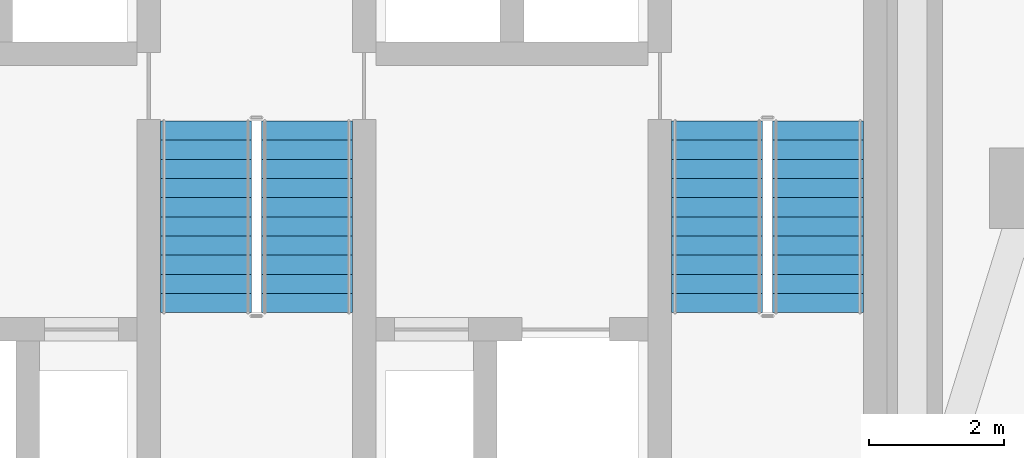
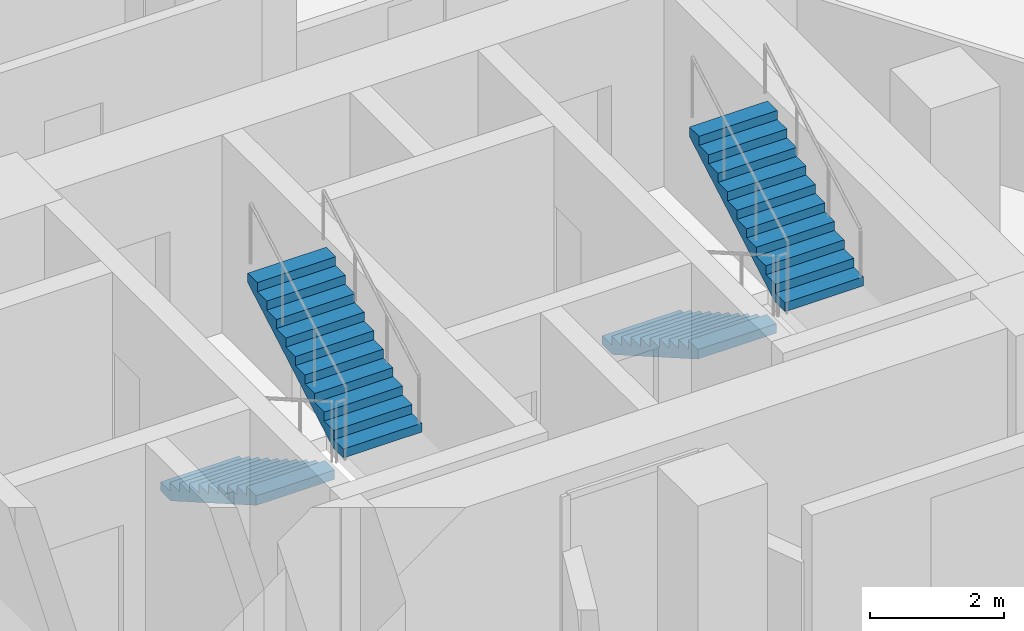
# One storey, part 10 of 13: 4 stair flights, 2 elements without a shape of their own.
"""IFC4 building model written with IfcOpenShell, lengths in metres."""

from ifc_helpers import new_model, si_unit, direction, frame, origin, place, context, subcontext, project, spatial, polyline, outline, extrude, material, type_object, element, aggregate, save


model = new_model("IFC4")

# Units and contexts
model_context = context("Model", 3, precision=1e-05, world=origin(), true_north=direction((0.0, 1.0)))
body_context = subcontext(model_context, "Body", "Model", "MODEL_VIEW")
ifc_project = project(units=[si_unit("LENGTHUNIT", "METRE"), si_unit("AREAUNIT", "SQUARE_METRE"), si_unit("VOLUMEUNIT", "CUBIC_METRE"), si_unit("PLANEANGLEUNIT", "RADIAN"), si_unit("MASSUNIT", "GRAM", prefix="KILO")], contexts=[model_context])

# Site, building, storey
site_placement = place(None, origin())
site = spatial("IfcSite", under=ifc_project, at=site_placement, CompositionType="ELEMENT")
building_placement = place(site_placement, origin())
building = spatial("IfcBuilding", under=site, at=building_placement, Name="Almagre Mirador Tower", CompositionType="ELEMENT")
storey_placement = place(building_placement, frame((0.0, 0.0, 78.60009765625)))
storey = spatial("IfcBuildingStorey", under=building, at=storey_placement, Name="L19", CompositionType="ELEMENT", Elevation=78.60009765625)

# Stair, stair flights
ifc_material_1 = material(Name="Concrete C45/55", Category="concrete")
stair_type = type_object("IfcStairType", Name="STR-DL-3600", PredefinedType="HALF_TURN_STAIR", material=ifc_material_1)
stair_1_placement = place(storey_placement, origin())
stair_1 = element("IfcStair", 1, at=stair_1_placement, inside=storey, type_object=stair_type, Name="L19 Protected exit stair ST-2", PredefinedType="HALF_TURN_STAIR")
ifc_material_2 = material(Name="Concrete C45/55", Category="concrete")
stair_flight_type = type_object("IfcStairFlightType", Name="FLT-DL-3600", PredefinedType="STRAIGHT", material=ifc_material_2)
stair_flight_1_placement = place(storey_placement, frame((36.550048828125, 11.199951171875, 0.0), z_axis=(0.0, 0.0, 1.0), x_axis=(0.0, -1.0, 0.0)))
stair_flight_1 = element("IfcStairFlight", 2, at=stair_flight_1_placement, type_object=stair_flight_type, Name="ST-2 flight 1", NumberOfRisers=11, NumberOfTreads=10, PredefinedType="STRAIGHT", RiserHeight=0.163636364, TreadLength=0.285, context=body_context, shape_type="SweptSolid", body=[
    extrude(outline(polyline([(0.0, 0.0), (0.0, 0.16357421875), (0.284912109375, 0.16357421875), (0.284912109375, 0.327392578125), (0.570068359375, 0.327392578125), (0.570068359375, 0.490966796875), (0.85498046875, 0.490966796875), (0.85498046875, 0.654541015625), (1.139892578125, 0.654541015625), (1.139892578125, 0.818115234375), (1.425048828125, 0.818115234375), (1.425048828125, 0.98193359375), (1.7099609375, 0.98193359375), (1.7099609375, 1.1455078125), (1.9951171875, 1.1455078125), (1.9951171875, 1.30908203125), (2.280029296875, 1.30908203125), (2.280029296875, 1.47265625), (2.56494140625, 1.47265625), (2.56494140625, 1.636474609375), (2.85009765625, 1.636474609375), (2.85009765625, 1.800048828125), (2.85009765625, 1.463623046875), (0.301025390625, 0.0), (0.0, 0.0)])), frame((0.0, 0.675048828125, 0.0), z_axis=(0.0, -1.0, 0.0), x_axis=(1.0, 0.0, 0.0)), (0.0, 0.0, 1.0), 1.35009765625),
])
stair_flight_2_placement = place(storey_placement, frame((38.050048828125, 8.35009765625, 1.7998046875), z_axis=(0.0, 0.0, 1.0), x_axis=(0.0, 1.0, 0.0)))
stair_flight_2 = element("IfcStairFlight", 3, at=stair_flight_2_placement, type_object=stair_flight_type, Name="ST-2 flight 2", NumberOfRisers=11, NumberOfTreads=10, PredefinedType="STRAIGHT", RiserHeight=0.163636364, TreadLength=0.285, context=body_context, shape_type="SweptSolid", body=[
    extrude(outline(polyline([(0.0, 0.0), (0.0, 0.16357421875), (0.284912109375, 0.16357421875), (0.284912109375, 0.327392578125), (0.570068359375, 0.327392578125), (0.570068359375, 0.490966796875), (0.85498046875, 0.490966796875), (0.85498046875, 0.654541015625), (1.139892578125, 0.654541015625), (1.139892578125, 0.818115234375), (1.425048828125, 0.818115234375), (1.425048828125, 0.98193359375), (1.7099609375, 0.98193359375), (1.7099609375, 1.1455078125), (1.9951171875, 1.1455078125), (1.9951171875, 1.30908203125), (2.280029296875, 1.30908203125), (2.280029296875, 1.47265625), (2.56494140625, 1.47265625), (2.56494140625, 1.636474609375), (2.85009765625, 1.636474609375), (2.85009765625, 1.800048828125), (2.85009765625, 1.463623046875), (0.301025390625, 0.0), (0.0, 0.0)])), frame((0.0, 0.675048828125, 0.0), z_axis=(0.0, -1.0, 0.0), x_axis=(1.0, 0.0, 0.0)), (0.0, 0.0, 1.0), 1.35009765625),
])
aggregate(stair_1, [stair_flight_1, stair_flight_2])

stair_2_placement = place(storey_placement, origin())
stair_2 = element("IfcStair", 4, at=stair_2_placement, inside=storey, type_object=stair_type, Name="L19 Protected exit stair ST-3", PredefinedType="HALF_TURN_STAIR")
stair_flight_3_placement = place(storey_placement, frame((44.14990234375, 11.199951171875, 0.0), z_axis=(0.0, 0.0, 1.0), x_axis=(0.0, -1.0, 0.0)))
stair_flight_3 = element("IfcStairFlight", 5, at=stair_flight_3_placement, type_object=stair_flight_type, Name="ST-3 flight 1", NumberOfRisers=11, NumberOfTreads=10, PredefinedType="STRAIGHT", RiserHeight=0.163636364, TreadLength=0.285, context=body_context, shape_type="SweptSolid", body=[
    extrude(outline(polyline([(0.0, 0.0), (0.0, 0.16357421875), (0.284912109375, 0.16357421875), (0.284912109375, 0.327392578125), (0.570068359375, 0.327392578125), (0.570068359375, 0.490966796875), (0.85498046875, 0.490966796875), (0.85498046875, 0.654541015625), (1.139892578125, 0.654541015625), (1.139892578125, 0.818115234375), (1.425048828125, 0.818115234375), (1.425048828125, 0.98193359375), (1.7099609375, 0.98193359375), (1.7099609375, 1.1455078125), (1.9951171875, 1.1455078125), (1.9951171875, 1.30908203125), (2.280029296875, 1.30908203125), (2.280029296875, 1.47265625), (2.56494140625, 1.47265625), (2.56494140625, 1.636474609375), (2.85009765625, 1.636474609375), (2.85009765625, 1.800048828125), (2.85009765625, 1.463623046875), (0.301025390625, 0.0), (0.0, 0.0)])), frame((0.0, 0.675048828125, 0.0), z_axis=(0.0, -1.0, 0.0), x_axis=(1.0, 0.0, 0.0)), (0.0, 0.0, 1.0), 1.35009765625),
])
stair_flight_4_placement = place(storey_placement, frame((45.64990234375, 8.35009765625, 1.7998046875), z_axis=(0.0, 0.0, 1.0), x_axis=(0.0, 1.0, 0.0)))
stair_flight_4 = element("IfcStairFlight", 6, at=stair_flight_4_placement, type_object=stair_flight_type, Name="ST-3 flight 2", NumberOfRisers=11, NumberOfTreads=10, PredefinedType="STRAIGHT", RiserHeight=0.163636364, TreadLength=0.285, context=body_context, shape_type="SweptSolid", body=[
    extrude(outline(polyline([(0.0, 0.0), (0.0, 0.16357421875), (0.284912109375, 0.16357421875), (0.284912109375, 0.327392578125), (0.570068359375, 0.327392578125), (0.570068359375, 0.490966796875), (0.85498046875, 0.490966796875), (0.85498046875, 0.654541015625), (1.139892578125, 0.654541015625), (1.139892578125, 0.818115234375), (1.425048828125, 0.818115234375), (1.425048828125, 0.98193359375), (1.7099609375, 0.98193359375), (1.7099609375, 1.1455078125), (1.9951171875, 1.1455078125), (1.9951171875, 1.30908203125), (2.280029296875, 1.30908203125), (2.280029296875, 1.47265625), (2.56494140625, 1.47265625), (2.56494140625, 1.636474609375), (2.85009765625, 1.636474609375), (2.85009765625, 1.800048828125), (2.85009765625, 1.463623046875), (0.301025390625, 0.0), (0.0, 0.0)])), frame((0.0, 0.675048828125, 0.0), z_axis=(0.0, -1.0, 0.0), x_axis=(1.0, 0.0, 0.0)), (0.0, 0.0, 1.0), 1.35009765625),
])
aggregate(stair_2, [stair_flight_3, stair_flight_4])

save(model, "model.ifc")
